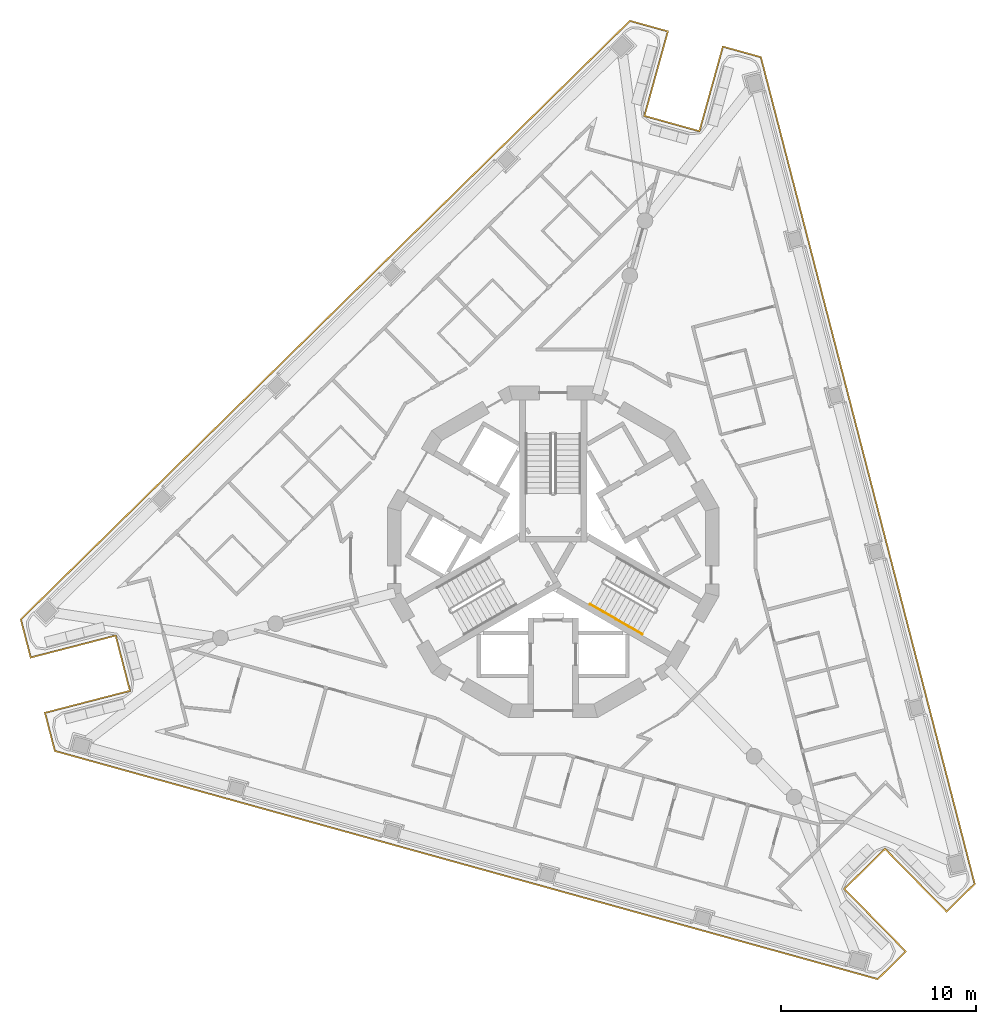
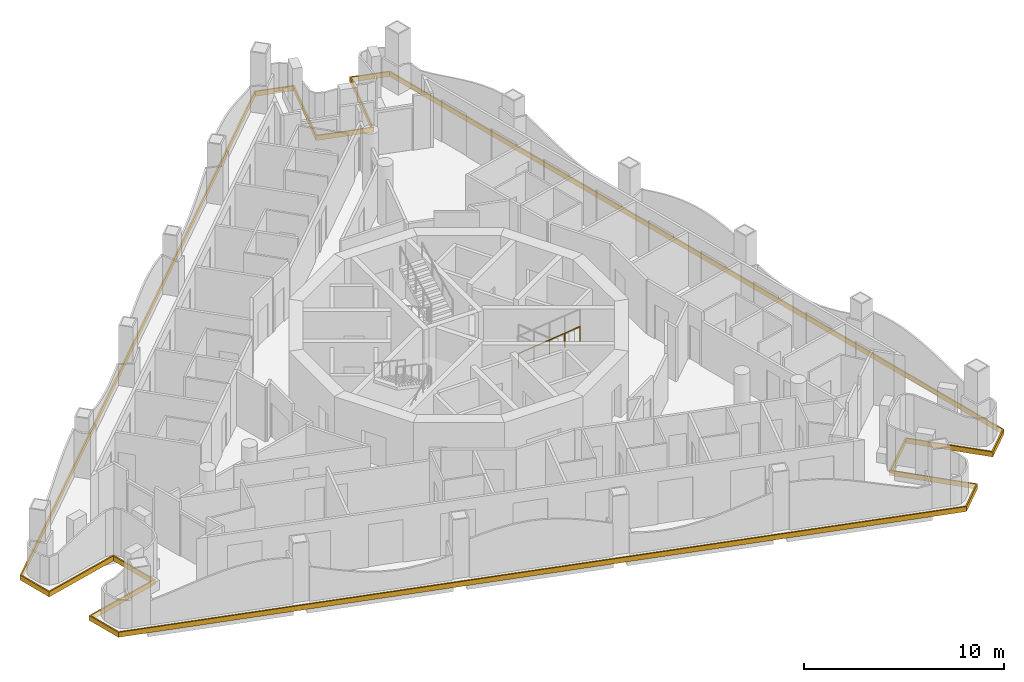
# One storey, part 11 of 14: 2 railings, 1 covering.
"""IFC4 building model written with IfcOpenShell, lengths in metres."""

from ifc_helpers import new_model, si_unit, direction, frame, origin, origin_2d, place, context, subcontext, project, spatial, polyline, circle, outline, extrude, material, layer, layer_set, type_object, element, save


model = new_model("IFC4")

# Units and contexts
model_context = context("Model", 3, precision=1e-05, world=origin(), true_north=direction((0.0, 1.0)))
body_context = subcontext(model_context, "Body", "Model", "MODEL_VIEW")
ifc_project = project(units=[si_unit("LENGTHUNIT", "METRE"), si_unit("AREAUNIT", "SQUARE_METRE"), si_unit("VOLUMEUNIT", "CUBIC_METRE"), si_unit("PLANEANGLEUNIT", "RADIAN"), si_unit("MASSUNIT", "GRAM", prefix="KILO")], contexts=[model_context])

# Site, building, storey
site_placement = place(None, origin())
site = spatial("IfcSite", under=ifc_project, at=site_placement, CompositionType="ELEMENT")
building_placement = place(site_placement, origin())
building = spatial("IfcBuilding", under=site, at=building_placement, Name="Trine Commons Tower", CompositionType="ELEMENT")
storey_placement = place(building_placement, frame((0.0, 0.0, 238.5)))
storey = spatial("IfcBuildingStorey", under=building, at=storey_placement, Name="L62", CompositionType="ELEMENT", Elevation=238.5)

# Covering
ifc_material_1 = material(Name="Limestone, honed", Category="masonry")
ifc_layer = layer(ifc_material_1, 0.074951171875)
ifc_layer_set = layer_set([ifc_layer], Name="Limestone, honed")
covering_type = type_object("IfcCoveringType", Name="Limestone spandrel panel 75", PredefinedType="CLADDING", material=ifc_layer_set)
covering_placement = place(storey_placement, frame((0.0, 0.0, -0.300048828125)))
element("IfcCovering", 1, at=covering_placement, inside=storey, type_object=covering_type, Name="Limestone spandrel panel 7-01", PredefinedType="CLADDING", context=body_context, shape_type="SweptSolid", body=[
    extrude(outline(polyline([(97.018310546875, 47.215087890625), (100.172607421875, 44.00537109375), (101.65771484375, 45.465087890625), (90.68359375, 87.899169921875), (88.677001953125, 88.45556640625), (87.474365234375, 84.119140625), (84.72802734375, 84.880859375), (85.9306640625, 89.21728515625), (83.923828125, 89.773681640625), (52.662109375, 59.052734375), (53.183349609375, 57.03662109375), (57.5400390625, 58.163330078125), (58.253662109375, 55.404052734375), (53.89697265625, 54.27734375), (54.418212890625, 52.26123046875), (96.654541015625, 40.548095703125), (98.1396484375, 42.0078125), (94.985595703125, 45.21728515625), (97.018310546875, 47.215087890625)]), holes=[polyline([(88.72900390625, 88.36328125), (90.621826171875, 87.83837890625), (101.57421875, 45.488037109375), (100.17333984375, 44.111572265625), (97.019287109375, 47.321044921875), (94.879638671875, 45.218505859375), (98.03369140625, 42.0087890625), (96.6328125, 40.632080078125), (54.47998046875, 52.322021484375), (53.98828125, 54.2236328125), (58.344970703125, 55.350341796875), (57.593994140625, 58.254638671875), (53.2373046875, 57.1279296875), (52.745361328125, 59.029541015625), (83.945556640625, 89.68994140625), (85.838134765625, 89.1650390625), (84.6357421875, 84.82861328125), (87.526611328125, 84.02685546875), (88.72900390625, 88.36328125)])]), origin(), (0.0, 0.0, 1.0), 0.300048828125),
])

# Railings
ifc_material_2 = material(Name="Stainless steel handrail", Category="steel")
railing_type = type_object("IfcRailingType", Name="Stair handrail, steel 900", PredefinedType="HANDRAIL", material=ifc_material_2)
railing_1_placement = place(storey_placement, frame((81.90234375, 59.81396484375, 1.949951171875)))
element("IfcRailing", 2, at=railing_1_placement, inside=storey, type_object=railing_type, Name="L62 ST3C stair handrail 3", PredefinedType="HANDRAIL", context=body_context, shape_type="SweptSolid", body=[
    extrude(circle(Radius=0.02099609375, at=origin_2d()), frame((0.0, 0.0, 0.87890625), z_axis=(0.76340495495, -0.440743040072, 0.472184759798), x_axis=(0.499992328818, 0.866029832698, 0.0)), (0.0, 0.0, 1.0), 1.7470703125),
    extrude(circle(Radius=0.01513671875, at=origin_2d()), origin(), (0.0, 0.0, 1.0), 0.85791015625),
    extrude(circle(Radius=0.01513671875, at=origin_2d()), frame((0.6669921875, -0.385009765625, 0.41259765625)), (0.0, 0.0, 1.0), 0.85791015625),
    extrude(circle(Radius=0.01513671875, at=origin_2d()), frame((1.333740234375, -0.77001953125, 0.824951171875)), (0.0, 0.0, 1.0), 0.85791015625),
])
railing_2_placement = place(storey_placement, frame((83.236083984375, 59.0439453125, 2.77490234375)))
element("IfcRailing", 3, at=railing_2_placement, inside=storey, type_object=railing_type, Name="L62 ST3C stair handrail 4", PredefinedType="HANDRAIL", context=body_context, shape_type="SweptSolid", body=[
    extrude(circle(Radius=0.02099609375, at=origin_2d()), frame((0.0, 0.0, 0.87890625), z_axis=(0.763354580307, -0.440713956853, 0.472293333596), x_axis=(0.499992328818, 0.866029832698, 0.0)), (0.0, 0.0, 1.0), 1.747314453125),
    extrude(circle(Radius=0.01513671875, at=origin_2d()), origin(), (0.0, 0.0, 1.0), 0.85791015625),
    extrude(circle(Radius=0.01513671875, at=origin_2d()), frame((0.6669921875, -0.385009765625, 0.41259765625)), (0.0, 0.0, 1.0), 0.85791015625),
    extrude(circle(Radius=0.01513671875, at=origin_2d()), frame((1.333740234375, -0.77001953125, 0.8251953125)), (0.0, 0.0, 1.0), 0.85791015625),
])

save(model, "model.ifc")
